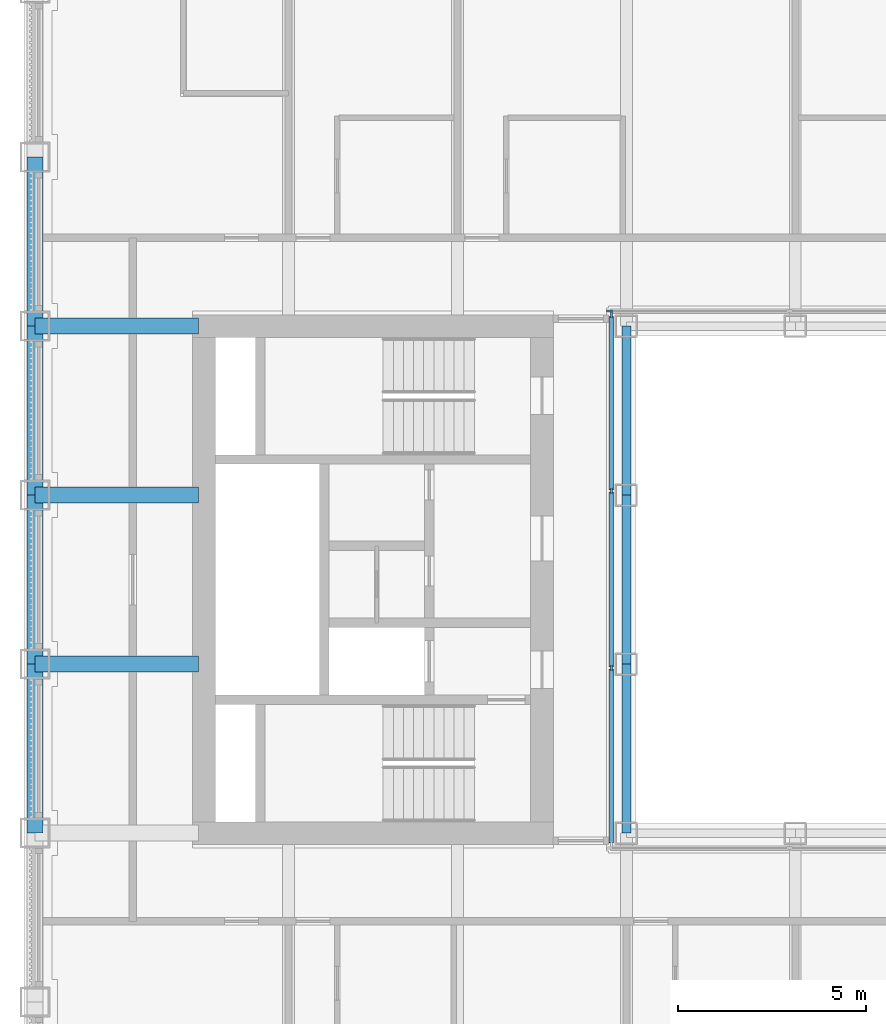
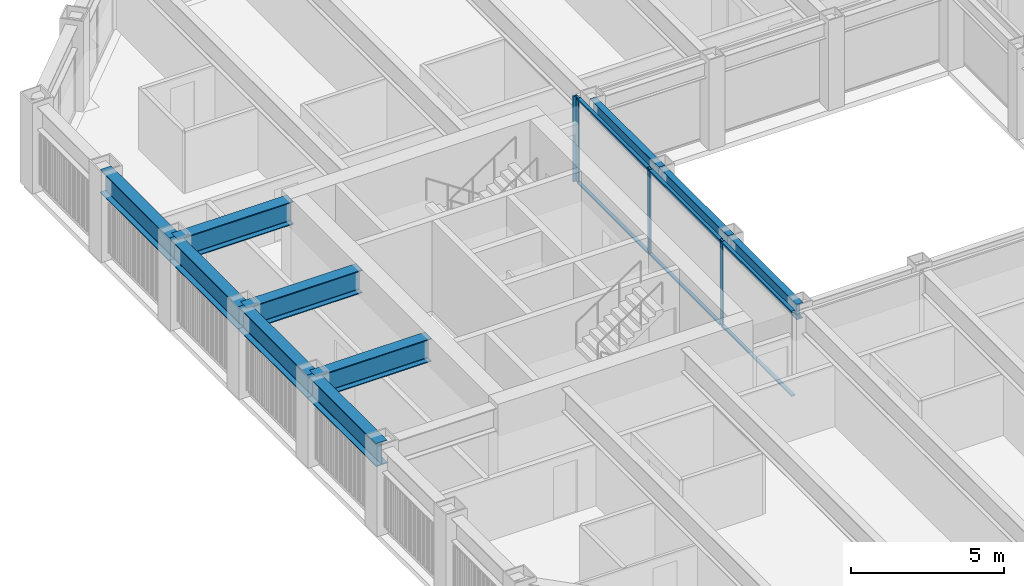
# One storey, part 4 of 17: 10 beams, 10 members, 2 elements without a shape of their own.
"""IFC4 building model written with IfcOpenShell, lengths in metres."""

from ifc_helpers import new_model, si_unit, direction, frame, origin, origin_2d, place, context, subcontext, project, spatial, rectangle, i_section, extrude, material, material_profile, profile_set, type_object, element, aggregate, save


model = new_model("IFC4")

# Units and contexts
model_context = context("Model", 3, precision=1e-05, world=origin(), true_north=direction((0.0, 1.0)))
body_context = subcontext(model_context, "Body", "Model", "MODEL_VIEW")
ifc_project = project(units=[si_unit("LENGTHUNIT", "METRE"), si_unit("AREAUNIT", "SQUARE_METRE"), si_unit("VOLUMEUNIT", "CUBIC_METRE"), si_unit("PLANEANGLEUNIT", "RADIAN"), si_unit("MASSUNIT", "GRAM", prefix="KILO")], contexts=[model_context])

# Site, building, storey
site_placement = place(None, origin())
site = spatial("IfcSite", under=ifc_project, at=site_placement, CompositionType="ELEMENT")
building_placement = place(site_placement, origin())
building = spatial("IfcBuilding", under=site, at=building_placement, Name="Msasa Ring Tower", CompositionType="ELEMENT")
storey_placement = place(building_placement, frame((0.0, 0.0, 150.800048828125)))
storey = spatial("IfcBuildingStorey", under=building, at=storey_placement, Name="L39", CompositionType="ELEMENT", Elevation=150.800048828125)

# Curtain wall, member
ifc_material_1 = material(Name="Aluminium curtain wall with clear glass", Category="aluminium")
curtain_wall_type = type_object("IfcCurtainWallType", Name="CW-W LIGHT WELL CURTAIN WALL", PredefinedType="NOTDEFINED", material=ifc_material_1)
curtain_wall_1_placement = place(storey_placement, origin())
curtain_wall_1 = element("IfcCurtainWall", 1, at=curtain_wall_1_placement, inside=storey, type_object=curtain_wall_type, Name="Light well curtain wall N L39", PredefinedType="NOTDEFINED")
ifc_material_2 = material(Name="Aluminium mullion", Category="aluminium")
ifc_material_profile_1 = material_profile(ifc_material_2, rectangle(XDim=0.06005859375, YDim=0.159912109375, at=origin_2d()), Name="AL 60x160")
ifc_profile_set_1 = profile_set([ifc_material_profile_1], Name="Aluminium mullion")
member_type_1 = type_object("IfcMemberType", Name="CW-W MULLION 60x160", PredefinedType="MULLION", material=ifc_profile_set_1)
member_1_placement = place(storey_placement, frame((-7.199951171875, 7.14990234375, 0.0), z_axis=(0.0, 0.0, 1.0), x_axis=(0.0, 1.0, 0.0)))
member_1 = element("IfcMember", 2, at=member_1_placement, type_object=member_type_1, Name="CW-W mullion 1", PredefinedType="MULLION", context=body_context, shape_type="SweptSolid", body=[
    extrude(rectangle(XDim=0.06005859375, YDim=0.159912109375, at=origin_2d()), origin(), (0.0, 0.0, 1.0), 3.39990234375),
])
aggregate(curtain_wall_1, [member_1])

# Curtain wall, members
curtain_wall_2_placement = place(storey_placement, origin())
curtain_wall_2 = element("IfcCurtainWall", 3, at=curtain_wall_2_placement, inside=storey, type_object=curtain_wall_type, Name="Light well curtain wall W L39", PredefinedType="NOTDEFINED")
member_2_placement = place(storey_placement, frame((-7.14990234375, -2.356689453125, 0.0), z_axis=(0.0, 0.0, 1.0), x_axis=(-1.0, 0.0, 0.0)))
member_2 = element("IfcMember", 4, at=member_2_placement, type_object=member_type_1, Name="CW-W mullion 2", PredefinedType="MULLION", context=body_context, shape_type="SweptSolid", body=[
    extrude(rectangle(XDim=0.06005859375, YDim=0.159912109375, at=origin_2d()), origin(), (0.0, 0.0, 1.0), 3.39990234375),
])
member_3_placement = place(storey_placement, frame((-7.14990234375, 2.356689453125, 0.0), z_axis=(0.0, 0.0, 1.0), x_axis=(-1.0, 0.0, 0.0)))
member_3 = element("IfcMember", 5, at=member_3_placement, type_object=member_type_1, Name="CW-W mullion 3", PredefinedType="MULLION", context=body_context, shape_type="SweptSolid", body=[
    extrude(rectangle(XDim=0.06005859375, YDim=0.159912109375, at=origin_2d()), origin(), (0.0, 0.0, 1.0), 3.39990234375),
])
member_4_placement = place(storey_placement, frame((-7.14990234375, 7.0400390625, 0.0), z_axis=(0.0, 0.0, 1.0), x_axis=(-1.0, 0.0, 0.0)))
member_4 = element("IfcMember", 6, at=member_4_placement, type_object=member_type_1, Name="CW-W mullion 4", PredefinedType="MULLION", context=body_context, shape_type="SweptSolid", body=[
    extrude(rectangle(XDim=0.06005859375, YDim=0.159912109375, at=origin_2d()), origin(), (0.0, 0.0, 1.0), 3.39990234375),
])
ifc_material_3 = material(Name="Aluminium transom", Category="aluminium")
ifc_material_profile_2 = material_profile(ifc_material_3, rectangle(XDim=0.1201171875, YDim=0.06005859375, at=origin_2d()), Name="AL 60x120")
ifc_profile_set_2 = profile_set([ifc_material_profile_2], Name="Aluminium transom")
member_type_2 = type_object("IfcMemberType", Name="CW-W TRANSOM 60x120", PredefinedType="USERDEFINED", material=ifc_profile_set_2)
member_5_placement = place(storey_placement, frame((-7.14990234375, -7.010009765625, 0.030029296875), z_axis=(0.0, 1.0, 0.0), x_axis=(-1.0, 0.0, 0.0)))
member_5 = element("IfcMember", 7, at=member_5_placement, type_object=member_type_2, Name="CW-W transom 1.1", ObjectType="TRANSOM", PredefinedType="USERDEFINED", context=body_context, shape_type="SweptSolid", body=[
    extrude(rectangle(XDim=0.1201171875, YDim=0.06005859375, at=origin_2d()), origin(), (0.0, 0.0, 1.0), 4.623291015625),
])
member_6_placement = place(storey_placement, frame((-7.14990234375, -7.010009765625, 3.369873046875), z_axis=(0.0, 1.0, 0.0), x_axis=(-1.0, 0.0, 0.0)))
member_6 = element("IfcMember", 8, at=member_6_placement, type_object=member_type_2, Name="CW-W transom 1.2", ObjectType="TRANSOM", PredefinedType="USERDEFINED", context=body_context, shape_type="SweptSolid", body=[
    extrude(rectangle(XDim=0.1201171875, YDim=0.06005859375, at=origin_2d()), origin(), (0.0, 0.0, 1.0), 4.623291015625),
])
member_7_placement = place(storey_placement, frame((-7.14990234375, -2.32666015625, 0.030029296875), z_axis=(0.0, 1.0, 0.0), x_axis=(-1.0, 0.0, 0.0)))
member_7 = element("IfcMember", 9, at=member_7_placement, type_object=member_type_2, Name="CW-W transom 2.1", ObjectType="TRANSOM", PredefinedType="USERDEFINED", context=body_context, shape_type="SweptSolid", body=[
    extrude(rectangle(XDim=0.1201171875, YDim=0.06005859375, at=origin_2d()), origin(), (0.0, 0.0, 1.0), 4.6533203125),
])
member_8_placement = place(storey_placement, frame((-7.14990234375, -2.32666015625, 3.369873046875), z_axis=(0.0, 1.0, 0.0), x_axis=(-1.0, 0.0, 0.0)))
member_8 = element("IfcMember", 10, at=member_8_placement, type_object=member_type_2, Name="CW-W transom 2.2", ObjectType="TRANSOM", PredefinedType="USERDEFINED", context=body_context, shape_type="SweptSolid", body=[
    extrude(rectangle(XDim=0.1201171875, YDim=0.06005859375, at=origin_2d()), origin(), (0.0, 0.0, 1.0), 4.6533203125),
])
member_9_placement = place(storey_placement, frame((-7.14990234375, 2.38671875, 0.030029296875), z_axis=(0.0, 1.0, 0.0), x_axis=(-1.0, 0.0, 0.0)))
member_9 = element("IfcMember", 11, at=member_9_placement, type_object=member_type_2, Name="CW-W transom 3.1", ObjectType="TRANSOM", PredefinedType="USERDEFINED", context=body_context, shape_type="SweptSolid", body=[
    extrude(rectangle(XDim=0.1201171875, YDim=0.06005859375, at=origin_2d()), origin(), (0.0, 0.0, 1.0), 4.623291015625),
])
member_10_placement = place(storey_placement, frame((-7.14990234375, 2.38671875, 3.369873046875), z_axis=(0.0, 1.0, 0.0), x_axis=(-1.0, 0.0, 0.0)))
member_10 = element("IfcMember", 12, at=member_10_placement, type_object=member_type_2, Name="CW-W transom 3.2", ObjectType="TRANSOM", PredefinedType="USERDEFINED", context=body_context, shape_type="SweptSolid", body=[
    extrude(rectangle(XDim=0.1201171875, YDim=0.06005859375, at=origin_2d()), origin(), (0.0, 0.0, 1.0), 4.623291015625),
])
aggregate(curtain_wall_2, [member_2, member_3, member_4, member_5, member_6, member_7, member_8, member_9, member_10])

# Beams
ifc_material_4 = material(Name="Steel S355", Category="steel")
ifc_material_profile_3 = material_profile(ifc_material_4, i_section(OverallWidth=0.42041015625, OverallDepth=0.9208984375, WebThickness=0.021484375, FlangeThickness=0.03662109375, FilletRadius=0.024169921875, at=origin_2d()), Name="UB 914x419x388")
ifc_profile_set_3 = profile_set([ifc_material_profile_3], Name="Steel S355")
beam_type_1 = type_object("IfcBeamType", Name="FB2 UB 914x419x388", PredefinedType="BEAM", material=ifc_profile_set_3)
for number, where, z_axis, x_axis, name in (
    (13, (-22.5, -2.25, 2.939453125), (1.0, 0.0, 0.0), (0.0, 1.0, 0.0), "Floor beam W -2.25 under L40"),
    (14, (-22.5, 2.25, 2.939453125), (1.0, 0.0, 0.0), (0.0, 1.0, 0.0), "Floor beam W +2.25 under L40"),
):
    element("IfcBeam", number, at=place(storey_placement, frame(where, z_axis=z_axis, x_axis=x_axis)), inside=storey, type_object=beam_type_1, Name=name, PredefinedType="BEAM", context=body_context, shape_type="SweptSolid", body=[
        extrude(i_section(OverallWidth=0.42041015625, OverallDepth=0.9208984375, WebThickness=0.021484375, FlangeThickness=0.03662109375, FilletRadius=0.024169921875, at=origin_2d()), origin(), (0.0, 0.0, 1.0), 4.35009765625),
    ])
ifc_material_5 = material(Name="Steel S355", Category="steel")
ifc_material_profile_4 = material_profile(ifc_material_5, i_section(OverallWidth=0.42041015625, OverallDepth=0.9208984375, WebThickness=0.021484375, FlangeThickness=0.03662109375, FilletRadius=0.024169921875, at=origin_2d()), Name="UB 914x419x388")
ifc_profile_set_4 = profile_set([ifc_material_profile_4], Name="Steel S355")
beam_type_2 = type_object("IfcBeamType", Name="GB1 UB 914x419x388", PredefinedType="BEAM", material=ifc_profile_set_4)
beam_placement = place(storey_placement, frame((-18.14990234375, 6.75, 2.939453125), z_axis=(-1.0, 0.0, 0.0), x_axis=(0.0, -1.0, 0.0)))
element("IfcBeam", 15, at=beam_placement, inside=storey, type_object=beam_type_2, Name="Girder W +6.75 under L40", PredefinedType="BEAM", context=body_context, shape_type="SweptSolid", body=[
    extrude(i_section(OverallWidth=0.42041015625, OverallDepth=0.9208984375, WebThickness=0.021484375, FlangeThickness=0.03662109375, FilletRadius=0.024169921875, at=origin_2d()), origin(), (0.0, 0.0, 1.0), 4.35009765625),
])
ifc_material_6 = material(Name="Steel S355", Category="steel")
ifc_material_profile_5 = material_profile(ifc_material_6, i_section(OverallWidth=0.230224609375, OverallDepth=0.6171875, WebThickness=0.01318359375, FlangeThickness=0.022216796875, FilletRadius=0.0126953125, at=origin_2d()), Name="UB 610x229x140")
ifc_profile_set_5 = profile_set([ifc_material_profile_5], Name="Steel S355")
beam_type_3 = type_object("IfcBeamType", Name="RB1 UB 610x229x140", PredefinedType="BEAM", material=ifc_profile_set_5)
for number, where, z_axis, x_axis, name in (
    (16, (-6.75, -2.25, 3.09130859375), (0.0, -1.0, 0.0), (1.0, 0.0, 0.0), "Inner ring beam IR-6.75-2.25 under L40"),
    (17, (-6.75, 6.75, 3.09130859375), (0.0, -1.0, 0.0), (1.0, 0.0, 0.0), "Inner ring beam IR-6.75+6.75 under L40"),
    (18, (-6.75, 2.25, 3.09130859375), (0.0, -1.0, 0.0), (1.0, 0.0, 0.0), "Inner ring beam IR-6.75+2.25 under L40"),
):
    element("IfcBeam", number, at=place(storey_placement, frame(where, z_axis=z_axis, x_axis=x_axis)), inside=storey, type_object=beam_type_3, Name=name, PredefinedType="BEAM", context=body_context, shape_type="SweptSolid", body=[
        extrude(i_section(OverallWidth=0.230224609375, OverallDepth=0.6171875, WebThickness=0.01318359375, FlangeThickness=0.022216796875, FilletRadius=0.0126953125, at=origin_2d()), origin(), (0.0, 0.0, 1.0), 4.5),
    ])
ifc_material_7 = material(Name="Steel S355", Category="steel")
ifc_material_profile_6 = material_profile(ifc_material_7, i_section(OverallWidth=0.42041015625, OverallDepth=0.9208984375, WebThickness=0.021484375, FlangeThickness=0.03662109375, FilletRadius=0.024169921875, at=origin_2d()), Name="UB 914x419x388")
ifc_profile_set_6 = profile_set([ifc_material_profile_6], Name="Steel S355")
beam_type_4 = type_object("IfcBeamType", Name="SB1 UB 914x419x388", PredefinedType="SPANDREL", material=ifc_profile_set_6)
for number, where, z_axis, x_axis, name in (
    (19, (-22.5, -2.25, 2.939453125), (0.0, -1.0, 0.0), (1.0, 0.0, 0.0), "Spandrel W-2.25 to W-6.75 under L40"),
    (20, (-22.5, 11.25, 2.939453125), (0.0, -1.0, 0.0), (1.0, 0.0, 0.0), "Spandrel W+11.25 to W+6.75 under L40"),
    (21, (-22.5, 6.75, 2.939453125), (0.0, -1.0, 0.0), (1.0, 0.0, 0.0), "Spandrel W+6.75 to W+2.25 under L40"),
    (22, (-22.5, 2.25, 2.939453125), (0.0, -1.0, 0.0), (1.0, 0.0, 0.0), "Spandrel W+2.25 to W-2.25 under L40"),
):
    element("IfcBeam", number, at=place(storey_placement, frame(where, z_axis=z_axis, x_axis=x_axis)), inside=storey, type_object=beam_type_4, Name=name, PredefinedType="SPANDREL", context=body_context, shape_type="SweptSolid", body=[
        extrude(i_section(OverallWidth=0.42041015625, OverallDepth=0.9208984375, WebThickness=0.021484375, FlangeThickness=0.03662109375, FilletRadius=0.024169921875, at=origin_2d()), origin(), (0.0, 0.0, 1.0), 4.5),
    ])

save(model, "model.ifc")
